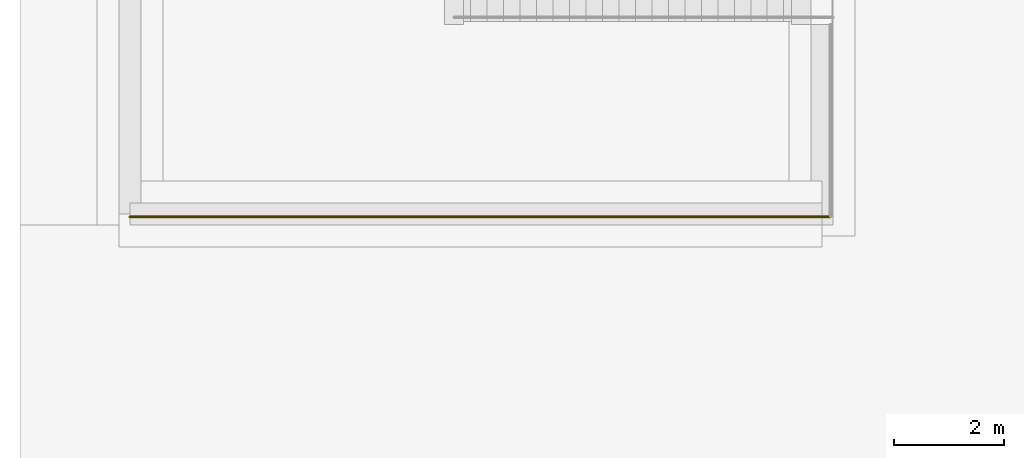
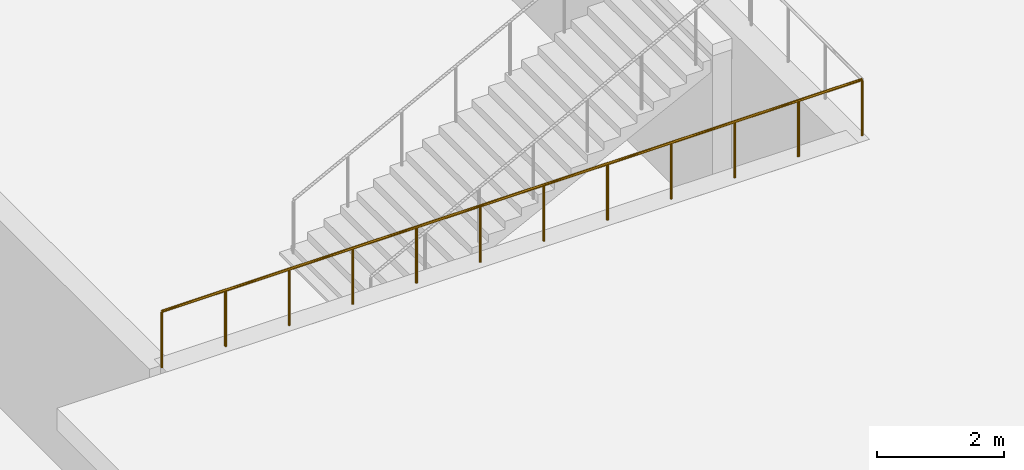
# One storey, part 56 of 89: 1 railing.
"""IFC4 building model written with IfcOpenShell, lengths in metres."""

from ifc_helpers import new_model, si_unit, direction, frame, origin, origin_2d, place, context, subcontext, project, spatial, circle, extrude, material, type_object, element, save


model = new_model("IFC4")

# Units and contexts
model_context = context("Model", 3, precision=1e-05, world=origin(), true_north=direction((0.0, 1.0)))
body_context = subcontext(model_context, "Body", "Model", "MODEL_VIEW")
ifc_project = project(units=[si_unit("LENGTHUNIT", "METRE"), si_unit("AREAUNIT", "SQUARE_METRE"), si_unit("VOLUMEUNIT", "CUBIC_METRE"), si_unit("PLANEANGLEUNIT", "RADIAN"), si_unit("MASSUNIT", "GRAM", prefix="KILO")], contexts=[model_context])

# Site, building, storey
site_placement = place(None, origin())
site = spatial("IfcSite", under=ifc_project, at=site_placement, CompositionType="ELEMENT")
building_placement = place(site_placement, origin())
building = spatial("IfcBuilding", under=site, at=building_placement, Name="Koshinbarg Plaza Stadium", CompositionType="ELEMENT")
storey_placement = place(building_placement, origin())
storey = spatial("IfcBuildingStorey", under=building, at=storey_placement, Name="L00", CompositionType="ELEMENT", Elevation=0.0)

# Railing
ifc_material = material(Name="Galvanized painted steel guardrail", Category="steel")
railing_type = type_object("IfcRailingType", Name="RL-GUARD-1100", PredefinedType="GUARDRAIL", material=ifc_material)
railing_placement = place(storey_placement, frame((-16.0, 30.14990234375, 0.0)))
element("IfcRailing", 1, at=railing_placement, inside=storey, type_object=railing_type, Name="Sunken metro forecourt rim guard 1", PredefinedType="GUARDRAIL", context=body_context, shape_type="SweptSolid", body=[
    extrude(circle(Radius=0.02392578125, at=origin_2d()), frame((0.0, 0.0, 1.076171875), z_axis=(1.0, 0.0, 0.0), x_axis=(0.0, 1.0, 0.0)), (0.0, 0.0, 1.0), 12.75),
    extrude(circle(Radius=0.02099609375, at=origin_2d()), origin(), (0.0, 0.0, 1.0), 1.052001953125),
    extrude(circle(Radius=0.02099609375, at=origin_2d()), frame((1.1591796875, 0.0, 0.0)), (0.0, 0.0, 1.0), 1.052001953125),
    extrude(circle(Radius=0.02099609375, at=origin_2d()), frame((2.318115234375, 0.0, 0.0)), (0.0, 0.0, 1.0), 1.052001953125),
    extrude(circle(Radius=0.02099609375, at=origin_2d()), frame((3.477294921875, 0.0, 0.0)), (0.0, 0.0, 1.0), 1.052001953125),
    extrude(circle(Radius=0.02099609375, at=origin_2d()), frame((4.636474609375, 0.0, 0.0)), (0.0, 0.0, 1.0), 1.052001953125),
    extrude(circle(Radius=0.02099609375, at=origin_2d()), frame((5.79541015625, 0.0, 0.0)), (0.0, 0.0, 1.0), 1.052001953125),
    extrude(circle(Radius=0.02099609375, at=origin_2d()), frame((6.95458984375, 0.0, 0.0)), (0.0, 0.0, 1.0), 1.052001953125),
    extrude(circle(Radius=0.02099609375, at=origin_2d()), frame((8.113525390625, 0.0, 0.0)), (0.0, 0.0, 1.0), 1.052001953125),
    extrude(circle(Radius=0.02099609375, at=origin_2d()), frame((9.272705078125, 0.0, 0.0)), (0.0, 0.0, 1.0), 1.052001953125),
    extrude(circle(Radius=0.02099609375, at=origin_2d()), frame((10.431884765625, 0.0, 0.0)), (0.0, 0.0, 1.0), 1.052001953125),
    extrude(circle(Radius=0.02099609375, at=origin_2d()), frame((11.5908203125, 0.0, 0.0)), (0.0, 0.0, 1.0), 1.052001953125),
    extrude(circle(Radius=0.02099609375, at=origin_2d()), frame((12.75, 0.0, 0.0)), (0.0, 0.0, 1.0), 1.052001953125),
])

save(model, "model.ifc")
